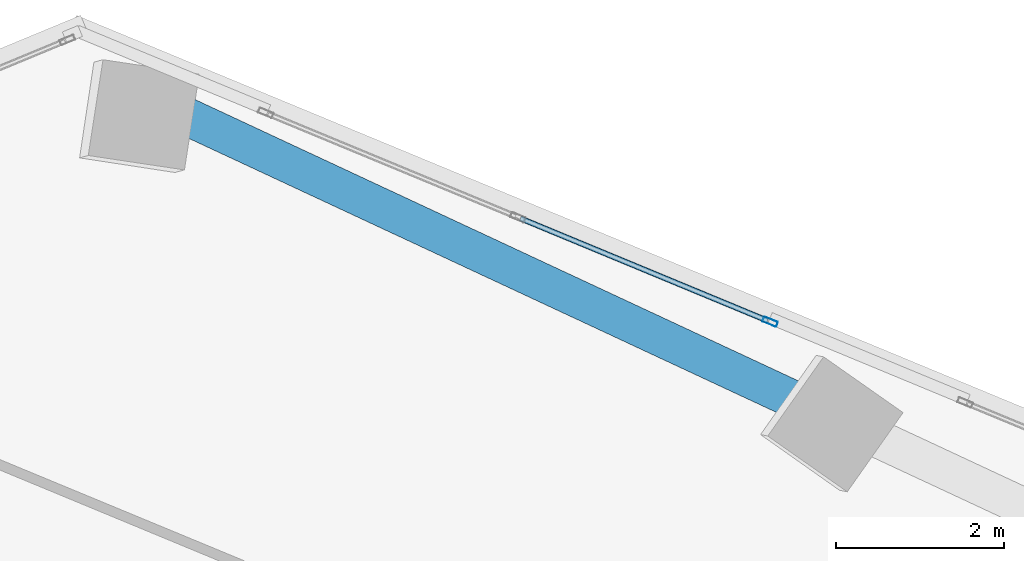
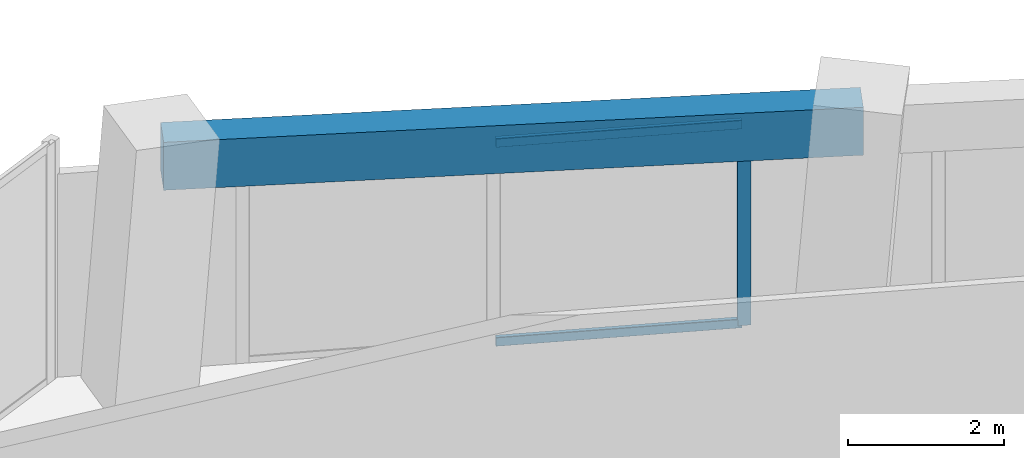
# One storey, part 11 of 22: 3 members, 1 beam, 1 element without a shape of its own.
"""IFC4 building model written with IfcOpenShell, lengths in metres."""

import ifcopenshell
import ifcopenshell.guid

model = None  # the IFC model being written
_history = None  # IfcOwnerHistory: only IFC2X3 demands one
_inside = {}  # id of a spatial element -> (the spatial element, [elements in it])
_under = {}  # id of a project, library or spatial element -> (it, [spatial elements below it])
_declared = {}  # id of a project -> (the project, [libraries it declares])
_typed = {}  # id of a type object -> (the type object, [elements of that type])
_made_of = {}  # id of a material, layer set ... -> (it, [elements and type objects made of it])


def new_model(schema):
    """Start an empty IFC model of exactly this schema.

    Asked for "IFC4X3", IfcOpenShell would pick the latest addendum, in which some entities
    have other attributes; the version numbers below select the first issue.
    IFC2X3 requires an IfcOwnerHistory on every rooted entity: one is made here for all.
    """
    global model, _history
    if schema == "IFC4X3":
        model = ifcopenshell.file(schema_version=(4, 3, 0, 0))
    else:
        model = ifcopenshell.file(schema=schema)
    _inside.clear()
    _under.clear()
    _declared.clear()
    _typed.clear()
    _made_of.clear()
    _history = None
    if model.schema == "IFC2X3":
        org = make("IfcOrganization", Name="unknown")
        user = make(
            "IfcPersonAndOrganization",
            ThePerson=make("IfcPerson", FamilyName="unknown"),
            TheOrganization=org,
        )
        app = make(
            "IfcApplication",
            ApplicationDeveloper=org,
            Version="unknown",
            ApplicationFullName="unknown",
            ApplicationIdentifier="unknown",
        )
        _history = make(
            "IfcOwnerHistory",
            OwningUser=user,
            OwningApplication=app,
            ChangeAction="ADDED",
            CreationDate=0,
        )
    return model


def make(cls, **values):
    """One entity of the class cls with the attributes given. An attribute that is None is left unset."""
    return model.create_entity(
        cls, **{name: value for name, value in values.items() if value is not None}
    )


def rooted(cls, **values):
    """An entity with a GlobalId (a new one), such as an element, a storey or a relation."""
    return make(cls, GlobalId=ifcopenshell.guid.new(), OwnerHistory=_history, **values)


def si_unit(unit_type, name, prefix=None):
    """IfcSIUnit, for example si_unit("LENGTHUNIT", "METRE", prefix="MILLI")."""
    return make("IfcSIUnit", UnitType=unit_type, Prefix=prefix, Name=name)


def assignment(units):
    """IfcUnitAssignment: the units of a project."""
    return None if units is None else make("IfcUnitAssignment", Units=units)


def point(xyz):
    """IfcCartesianPoint."""
    return None if xyz is None else make("IfcCartesianPoint", Coordinates=xyz)


def direction(xyz):
    """IfcDirection."""
    return None if xyz is None else make("IfcDirection", DirectionRatios=xyz)


def frame(location, z_axis=None, x_axis=None):
    """IfcAxis2Placement3D, a coordinate frame: its origin and axes. An axis left out is left unset."""
    return make(
        "IfcAxis2Placement3D",
        Location=point(location),
        Axis=direction(z_axis),
        RefDirection=direction(x_axis),
    )


def frame_2d(location, x_axis=None):
    """IfcAxis2Placement2D, a coordinate frame in the plane: its origin and x axis."""
    return make(
        "IfcAxis2Placement2D", Location=point(location), RefDirection=direction(x_axis)
    )


def origin():
    """The frame at (0, 0, 0) with its axes left unset."""
    return frame((0.0, 0.0, 0.0))


def origin_2d():
    """The frame at (0, 0) in the plane with its x axis left unset."""
    return frame_2d((0.0, 0.0))


def place(relative_to, where):
    """IfcLocalPlacement: puts the frame where relative to a parent placement (None: the world)."""
    return make(
        "IfcLocalPlacement", PlacementRelTo=relative_to, RelativePlacement=where
    )


def context(
    kind, dimensions, precision=None, world=None, true_north=None, identifier=None
):
    """IfcGeometricRepresentationContext, for example the 3D "Model" context."""
    return make(
        "IfcGeometricRepresentationContext",
        ContextIdentifier=identifier,
        ContextType=kind,
        CoordinateSpaceDimension=dimensions,
        Precision=precision,
        WorldCoordinateSystem=world,
        TrueNorth=true_north,
    )


def subcontext(parent, identifier, kind, view, scale=None):
    """IfcGeometricRepresentationSubContext, for example "Body" below "Model"."""
    return make(
        "IfcGeometricRepresentationSubContext",
        ContextIdentifier=identifier,
        ContextType=kind,
        ParentContext=parent,
        TargetScale=scale,
        TargetView=view,
    )


def project(units=None, contexts=None):
    """IfcProject with its units and contexts."""
    return rooted(
        "IfcProject",
        Name="project",
        RepresentationContexts=contexts,
        UnitsInContext=assignment(units),
    )


def spatial(cls, under=None, at=None, **own):
    """A site, building, storey or space (cls), placed at a placement, below another one or the project."""
    s = rooted(cls, ObjectPlacement=at, **own)
    if under is not None:
        _under.setdefault(under.id(), (under, []))[1].append(s)
    return s


def profile(cls, at=None, kind="AREA", **sizes):
    """A parametric profile (cls). Its sizes go by their IFC names, for example OverallWidth=200.0."""
    return make(cls, ProfileType=kind, Position=at, **sizes)


def rectangle(**sizes):
    """IfcRectangleProfileDef."""
    return profile("IfcRectangleProfileDef", **sizes)


def hollow_rectangle(**sizes):
    """IfcRectangleHollowProfileDef."""
    return profile("IfcRectangleHollowProfileDef", **sizes)


def extrude(swept, where, along, depth):
    """IfcExtrudedAreaSolid: the profile swept, set in the frame where, extruded along a direction by depth."""
    return make(
        "IfcExtrudedAreaSolid",
        SweptArea=swept,
        Position=where,
        ExtrudedDirection=direction(along),
        Depth=depth,
    )


def shape(context_of_items, identifier, shape_type, items):
    """IfcShapeRepresentation: the items that make up one representation, for example the "Body"."""
    return make(
        "IfcShapeRepresentation",
        ContextOfItems=context_of_items,
        RepresentationIdentifier=identifier,
        RepresentationType=shape_type,
        Items=items,
    )


def source(mapping_origin, context_of_items, identifier, shape_type, items):
    """IfcRepresentationMap: a shape defined once, which mapped items show again and again."""
    return make(
        "IfcRepresentationMap",
        MappingOrigin=mapping_origin,
        MappedRepresentation=shape(context_of_items, identifier, shape_type, items),
    )


def transform(
    local_origin,
    x_axis=None,
    y_axis=None,
    z_axis=None,
    scale=None,
    scale2=None,
    scale3=None,
    uniform=True,
):
    """IfcCartesianTransformationOperator3D, or its non-uniform kind. x_axis, y_axis, z_axis: its Axis1, 2, 3."""
    if uniform:
        return make(
            "IfcCartesianTransformationOperator3D",
            Axis1=direction(x_axis),
            Axis2=direction(y_axis),
            LocalOrigin=point(local_origin),
            Scale=scale,
            Axis3=direction(z_axis),
        )
    return make(
        "IfcCartesianTransformationOperator3DnonUniform",
        Axis1=direction(x_axis),
        Axis2=direction(y_axis),
        LocalOrigin=point(local_origin),
        Scale=scale,
        Axis3=direction(z_axis),
        Scale2=scale2,
        Scale3=scale3,
    )


def mapped(mapping_source, mapping_target):
    """IfcMappedItem: shows the shape of a source again, moved by a transform."""
    return make(
        "IfcMappedItem", MappingSource=mapping_source, MappingTarget=mapping_target
    )


def material(Name=None, Category=None):
    """IfcMaterial."""
    return make("IfcMaterial", Name=Name, Category=Category)


def material_profile(
    of_material, cross_section, Name=None, Category=None, Priority=None
):
    """IfcMaterialProfile: a cross section and its material."""
    return make(
        "IfcMaterialProfile",
        Name=Name,
        Material=of_material,
        Profile=cross_section,
        Priority=Priority,
        Category=Category,
    )


def profile_set(profiles, Name=None, composite=None):
    """IfcMaterialProfileSet."""
    return make(
        "IfcMaterialProfileSet",
        Name=Name,
        MaterialProfiles=profiles,
        CompositeProfile=composite,
    )


def made_of(thing, what):
    """Note that an element or type object is made of a material, layer set ...; save() writes the relation."""
    if what is not None:
        _made_of.setdefault(what.id(), (what, []))[1].append(thing)
    return thing


def type_object(cls, material=None, **own):
    """A type object (cls), such as IfcWallType, which elements share."""
    return made_of(rooted(cls, **own), material)


def element(
    cls,
    number,
    at=None,
    inside=None,
    cuts=None,
    type_object=None,
    material=None,
    context=None,
    identifier="Body",
    shape_type=None,
    held_by="IfcProductDefinitionShape",
    body=None,
    shapes=None,
    **own,
):
    """One element of the class cls, such as IfcWall. Its Tag is "e" and its number.

    at: its placement. inside: the storey or other place that contains it. cuts: it is an
    opening in that element (IfcRelVoidsElement). A single representation is given by context,
    identifier, shape_type and body (its items); several are given by shapes. held_by: the class
    of the entity that holds the representations. save() writes the other relations.
    """
    e = rooted(cls, Tag="e%d" % number, ObjectPlacement=at, **own)
    if body is not None:
        shapes = [shape(context, identifier, shape_type, body)]
    if shapes is not None:
        e.Representation = make(held_by, Representations=shapes)
    if inside is not None:
        _inside.setdefault(inside.id(), (inside, []))[1].append(e)
    if cuts is not None:
        rooted(
            "IfcRelVoidsElement", RelatingBuildingElement=cuts, RelatedOpeningElement=e
        )
    if type_object is not None:
        _typed.setdefault(type_object.id(), (type_object, []))[1].append(e)
    return made_of(e, material)


def aggregate(whole, parts):
    """IfcRelAggregates: a whole, such as a stair, and the parts it consists of."""
    return rooted("IfcRelAggregates", RelatingObject=whole, RelatedObjects=parts)


def save(model, path):
    """Write the relations noted so far, then the file.

    IfcRelAggregates (storeys below a building ...), IfcRelContainedInSpatialStructure (elements
    in a storey), IfcRelDefinesByType, IfcRelAssociatesMaterial and IfcRelDeclares: one each for
    every whole, place, type object, material and project.
    """
    for whole, parts in _under.values():
        aggregate(whole, parts)
    for where, things in _inside.values():
        rooted(
            "IfcRelContainedInSpatialStructure",
            RelatedElements=things,
            RelatingStructure=where,
        )
    for kind, things in _typed.values():
        rooted("IfcRelDefinesByType", RelatedObjects=things, RelatingType=kind)
    for what, things in _made_of.values():
        rooted("IfcRelAssociatesMaterial", RelatedObjects=things, RelatingMaterial=what)
    for by, libraries in _declared.values():
        rooted("IfcRelDeclares", RelatingContext=by, RelatedDefinitions=libraries)
    model.write(path)


model = new_model("IFC4")

# Units and contexts
model_context = context("Model", 3, precision=1e-05, world=origin(), true_north=direction((0.0, 1.0)))
body_context = subcontext(model_context, "Body", "Model", "MODEL_VIEW")
ifc_project = project(units=[si_unit("LENGTHUNIT", "METRE"), si_unit("AREAUNIT", "SQUARE_METRE"), si_unit("VOLUMEUNIT", "CUBIC_METRE"), si_unit("PLANEANGLEUNIT", "RADIAN"), si_unit("MASSUNIT", "GRAM", prefix="KILO")], contexts=[model_context])

# Site, building, storey
site_placement = place(None, origin())
site = spatial("IfcSite", under=ifc_project, at=site_placement, CompositionType="ELEMENT")
building_placement = place(site_placement, origin())
building = spatial("IfcBuilding", under=site, at=building_placement, Name="Torre Montelarca", CompositionType="ELEMENT")
storey_placement = place(building_placement, frame((0.0, 0.0, 149.800048828125)))
storey = spatial("IfcBuildingStorey", under=building, at=storey_placement, Name="L33", CompositionType="ELEMENT", Elevation=149.800048828125)

# Beam
ifc_material_1 = material(Name="Concrete C55/67", Category="concrete")
ifc_material_profile_1 = material_profile(ifc_material_1, rectangle(XDim=0.449951171875, YDim=0.75, at=origin_2d()), Name="RCB450X750", Category="concrete")
ifc_profile_set_1 = profile_set([ifc_material_profile_1], Name="Concrete C55/67")
beam_type = type_object("IfcBeamType", Name="BM-SP-RC750-EXT", PredefinedType="SPANDREL", material=ifc_profile_set_1)
shared_shape_1 = source(origin(), body_context, "Body", "SweptSolid", [
    extrude(rectangle(XDim=0.449951171875, YDim=0.75, at=origin_2d()), origin(), (0.0, 0.0, 1.0), 9.000244140625),
])
beam_placement = place(storey_placement, frame((16.57373046875, 51.01318359375, 3.5849609375), z_axis=(0.906316152515, -0.422600321452, 0.0), x_axis=(0.422600321452, 0.906316152515, 0.0)))
element("IfcBeam", 1, at=beam_placement, inside=storey, type_object=beam_type, Name="L33 Grid Girder X 9.0-18.0 at Y=47.1", PredefinedType="SPANDREL", context=body_context, shape_type="MappedRepresentation", body=[
    mapped(shared_shape_1, transform((0.0, 0.0, 0.0), scale=1.0)),
])

# Curtain wall, members
ifc_material_2 = material(Name="Insulated low-E laminated glass", Category="glass")
curtain_wall_type = type_object("IfcCurtainWallType", Name="CW-SYS-Z2", PredefinedType="USERDEFINED", material=ifc_material_2)
curtain_wall_placement = place(storey_placement, origin())
curtain_wall = element("IfcCurtainWall", 2, at=curtain_wall_placement, inside=storey, type_object=curtain_wall_type, Name="L33 Curtain Wall Run CW-T3-L33-E08-B2", ObjectType="UNITISED GLAZING", PredefinedType="USERDEFINED")
ifc_material_3 = material(Name="Anodised aluminium AA 6063-T6", Category="aluminium")
ifc_material_profile_2 = material_profile(ifc_material_3, hollow_rectangle(XDim=0.06494140625, YDim=0.179931640625, WallThickness=0.00390625, InnerFilletRadius=0.00390625, OuterFilletRadius=0.008056640625, at=origin_2d()), Name="ALU65X180X4", Category="aluminium")
ifc_profile_set_2 = profile_set([ifc_material_profile_2], Name="Anodised aluminium AA 6063-T6")
member_type_1 = type_object("IfcMemberType", Name="CWM-ALU180", PredefinedType="MULLION", material=ifc_profile_set_2)
shared_shape_2 = source(origin(), body_context, "Body", "SweptSolid", [
    extrude(hollow_rectangle(XDim=0.06494140625, YDim=0.179931640625, WallThickness=0.00390625, InnerFilletRadius=0.00390625, OuterFilletRadius=0.008056640625, at=origin_2d()), origin(), (0.0, 0.0, 1.0), 3.175048828125),
])
member_1_placement = place(storey_placement, frame((23.717529296875, 48.4755859375, 0.0), z_axis=(0.0, 0.0, 1.0), x_axis=(-0.382692103459, -0.923875940779, 0.0)))
member_1 = element("IfcMember", 3, at=member_1_placement, type_object=member_type_1, Name="CW mullion 1", PredefinedType="MULLION", context=body_context, shape_type="MappedRepresentation", body=[
    mapped(shared_shape_2, transform((0.0, 0.0, 0.0), scale=1.0)),
])
ifc_material_profile_3 = material_profile(ifc_material_3, hollow_rectangle(XDim=0.06494140625, YDim=0.139892578125, WallThickness=0.00390625, InnerFilletRadius=0.00390625, OuterFilletRadius=0.008056640625, at=origin_2d()), Name="ALU65X140X4", Category="aluminium")
ifc_profile_set_3 = profile_set([ifc_material_profile_3], Name="Anodised aluminium AA 6063-T6")
member_type_2 = type_object("IfcMemberType", Name="CWT-ALU140", PredefinedType="USERDEFINED", material=ifc_profile_set_3)
shared_shape_3 = source(origin(), body_context, "Body", "SweptSolid", [
    extrude(hollow_rectangle(XDim=0.06494140625, YDim=0.139892578125, WallThickness=0.00390625, InnerFilletRadius=0.00390625, OuterFilletRadius=0.008056640625, at=origin_2d()), origin(), (0.0, 0.0, 1.0), 3.1767578125),
])
member_2_placement = place(storey_placement, frame((23.6875, 48.488037109375, 0.032470703125), z_axis=(-0.923897883873, 0.382639125254, 0.0), x_axis=(-0.382639125254, -0.923897883873, 0.0)))
member_2 = element("IfcMember", 4, at=member_2_placement, type_object=member_type_2, Name="CW transom 1.1", ObjectType="TRANSOM", PredefinedType="USERDEFINED", context=body_context, shape_type="MappedRepresentation", body=[
    mapped(shared_shape_3, transform((0.0, 0.0, 0.0), scale=1.0)),
])
member_3_placement = place(storey_placement, frame((23.6875, 48.488037109375, 3.142333984375), z_axis=(-0.923897883873, 0.382639125254, 0.0), x_axis=(-0.382639125254, -0.923897883873, 0.0)))
member_3 = element("IfcMember", 5, at=member_3_placement, type_object=member_type_2, Name="CW transom 1.2", ObjectType="TRANSOM", PredefinedType="USERDEFINED", context=body_context, shape_type="MappedRepresentation", body=[
    mapped(shared_shape_3, transform((0.0, 0.0, 0.0), scale=1.0)),
])
aggregate(curtain_wall, [member_1, member_2, member_3])

save(model, "model.ifc")
